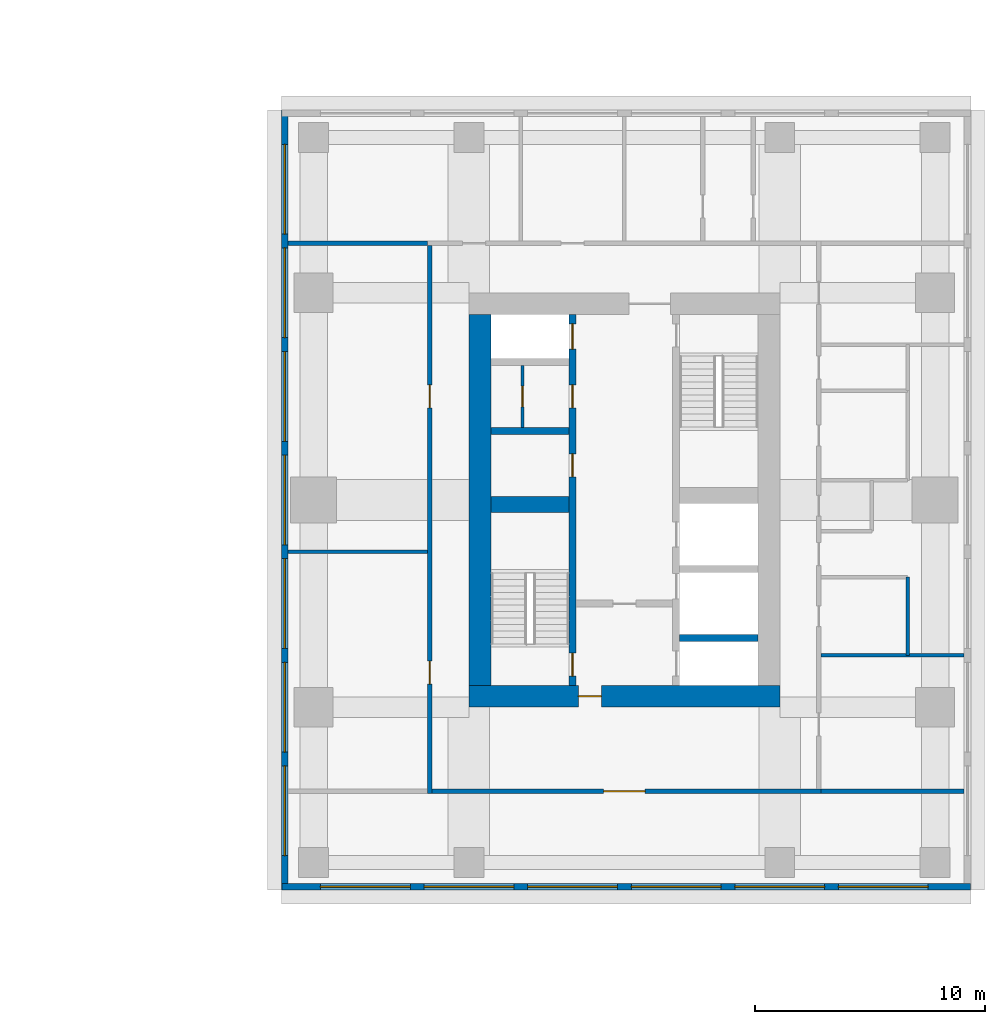
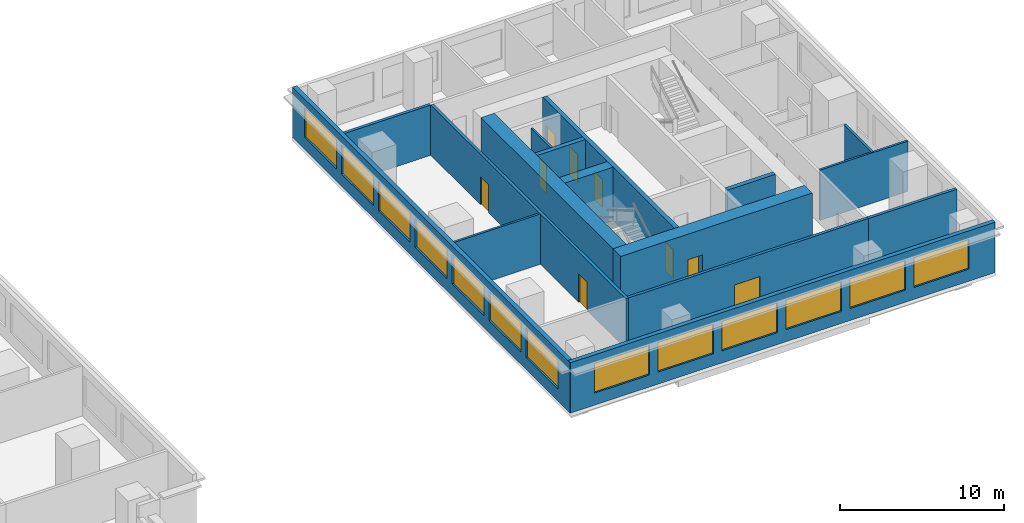
# One storey, part 6 of 11: 16 walls, 13 windows, 9 doors, 22 openings.
"""IFC4 building model written with IfcOpenShell, lengths in metres."""

from ifc_helpers import new_model, si_unit, direction, frame, frame_2d, origin, place, context, subcontext, project, spatial, rectangle, extrude, material, layer, layer_set, type_object, element, fill, save


model = new_model("IFC4")

# Units and contexts
model_context = context("Model", 3, precision=1e-05, world=origin(), true_north=direction((0.0, 1.0)))
body_context = subcontext(model_context, "Body", "Model", "MODEL_VIEW")
ifc_project = project(units=[si_unit("LENGTHUNIT", "METRE"), si_unit("AREAUNIT", "SQUARE_METRE"), si_unit("VOLUMEUNIT", "CUBIC_METRE"), si_unit("PLANEANGLEUNIT", "RADIAN"), si_unit("MASSUNIT", "GRAM", prefix="KILO")], contexts=[model_context])

# Site, building, storey
site_placement = place(None, origin())
site = spatial("IfcSite", under=ifc_project, at=site_placement, CompositionType="ELEMENT")
building_placement = place(site_placement, origin())
building = spatial("IfcBuilding", under=site, at=building_placement, Name="Namib Vertical Campus", CompositionType="ELEMENT")
storey_placement = place(building_placement, frame((0.0, 0.0, 213.0)))
storey = spatial("IfcBuildingStorey", under=building, at=storey_placement, Name="L50", CompositionType="ELEMENT", Elevation=213.0)

# Wall, openings, doors
ifc_material_1 = material(Name="Concrete C60/75", Category="concrete")
ifc_layer_1 = layer(ifc_material_1, 0.300048828125)
ifc_layer_set_1 = layer_set([ifc_layer_1], Name="Concrete C60/75")
wall_type_1 = type_object("IfcWallType", Name="Core inner wall 300", PredefinedType="SHEAR", material=ifc_layer_set_1)
wall_1_placement = place(storey_placement, frame((78.75, 12.199951171875, 0.0), z_axis=(0.0, 0.0, 1.0), x_axis=(0.0, 1.0, 0.0)))
wall_1 = element("IfcWall", 1, at=wall_1_placement, inside=storey, type_object=wall_type_1, Name="Core inner wall B L50 W1", PredefinedType="SHEAR", context=body_context, shape_type="SweptSolid", body=[
    extrude(rectangle(XDim=16.10009765625, YDim=0.300048828125, at=frame_2d((8.050048828125, 0.0))), origin(), (0.0, 0.0, 1.0), 4.0),
])
opening_1_placement = place(wall_1_placement, frame((0.39990234375, 0.0, 0.0)))
opening_1 = element("IfcOpeningElement", 2, at=opening_1_placement, cuts=wall_1, Name="Opening FD1", PredefinedType="OPENING", context=body_context, shape_type="SweptSolid", body=[
    extrude(rectangle(XDim=1.0, YDim=2.10009765625, at=frame_2d((0.5, 1.050048828125))), frame((0.0, 0.159912109375, 0.0), z_axis=(0.0, -1.0, 0.0), x_axis=(1.0, 0.0, 0.0)), (0.0, 0.0, 1.0), 0.320068359375),
])
opening_2_placement = place(wall_1_placement, frame((14.60009765625, 0.0, 0.0)))
opening_2 = element("IfcOpeningElement", 3, at=opening_2_placement, cuts=wall_1, Name="Opening LD1", PredefinedType="OPENING", context=body_context, shape_type="SweptSolid", body=[
    extrude(rectangle(XDim=1.10009765625, YDim=2.10009765625, at=frame_2d((0.550048828125, 1.050048828125))), frame((0.0, 0.159912109375, 0.0), z_axis=(0.0, -1.0, 0.0), x_axis=(1.0, 0.0, 0.0)), (0.0, 0.0, 1.0), 0.320068359375),
])
opening_3_placement = place(wall_1_placement, frame((9.050048828125, 0.0, 0.0)))
opening_3 = element("IfcOpeningElement", 4, at=opening_3_placement, cuts=wall_1, Name="Opening D1", PredefinedType="OPENING", context=body_context, shape_type="SweptSolid", body=[
    extrude(rectangle(XDim=1.0, YDim=2.10009765625, at=frame_2d((0.5, 1.050048828125))), frame((0.0, 0.159912109375, 0.0), z_axis=(0.0, -1.0, 0.0), x_axis=(1.0, 0.0, 0.0)), (0.0, 0.0, 1.0), 0.320068359375),
])
opening_4_placement = place(wall_1_placement, frame((12.050048828125, 0.0, 0.0)))
opening_4 = element("IfcOpeningElement", 5, at=opening_4_placement, cuts=wall_1, Name="Opening D1", PredefinedType="OPENING", context=body_context, shape_type="SweptSolid", body=[
    extrude(rectangle(XDim=1.0, YDim=2.10009765625, at=frame_2d((0.5, 1.050048828125))), frame((0.0, 0.159912109375, 0.0), z_axis=(0.0, -1.0, 0.0), x_axis=(1.0, 0.0, 0.0)), (0.0, 0.0, 1.0), 0.320068359375),
])
ifc_material_2 = material(Name="Timber door leaf", Category="wood")
door_type_1 = type_object("IfcDoorType", Name="Door single 1000x2100", OperationType="SINGLE_SWING_LEFT", PredefinedType="DOOR", material=ifc_material_2)
door_1_placement = place(opening_3_placement, origin())
door_1 = element("IfcDoor", 6, at=door_1_placement, inside=storey, type_object=door_type_1, Name="Door D1 Comms room B L50 P1", OperationType="SINGLE_SWING_LEFT", OverallHeight=2.10009765625, OverallWidth=1.0, PredefinedType="DOOR", context=body_context, shape_type="SweptSolid", body=[
    extrude(rectangle(XDim=1.0, YDim=2.10009765625, at=frame_2d((0.5, 1.050048828125))), frame((0.0, 0.02490234375, 0.0), z_axis=(0.0, -1.0, 0.0), x_axis=(1.0, 0.0, 0.0)), (0.0, 0.0, 1.0), 0.050048828125),
])
fill(opening_3, door_1)
door_2_placement = place(opening_4_placement, origin())
door_2 = element("IfcDoor", 7, at=door_2_placement, inside=storey, type_object=door_type_1, Name="Door D1 Store B L50 P2", OperationType="SINGLE_SWING_LEFT", OverallHeight=2.10009765625, OverallWidth=1.0, PredefinedType="DOOR", context=body_context, shape_type="SweptSolid", body=[
    extrude(rectangle(XDim=1.0, YDim=2.10009765625, at=frame_2d((0.5, 1.050048828125))), frame((0.0, 0.02490234375, 0.0), z_axis=(0.0, -1.0, 0.0), x_axis=(1.0, 0.0, 0.0)), (0.0, 0.0, 1.0), 0.050048828125),
])
fill(opening_4, door_2)
ifc_material_3 = material(Name="Steel fire door", Category="steel")
door_type_2 = type_object("IfcDoorType", Name="Fire door 1000x2100", OperationType="SINGLE_SWING_RIGHT", PredefinedType="DOOR", material=ifc_material_3)
door_3_placement = place(opening_1_placement, origin())
door_3 = element("IfcDoor", 8, at=door_3_placement, inside=storey, type_object=door_type_2, Name="Stair door FD1 B L50 S1", OperationType="SINGLE_SWING_LEFT", OverallHeight=2.10009765625, OverallWidth=1.0, PredefinedType="DOOR", context=body_context, shape_type="SweptSolid", body=[
    extrude(rectangle(XDim=1.0, YDim=2.10009765625, at=frame_2d((0.5, 1.050048828125))), frame((0.0, 0.02490234375, 0.0), z_axis=(0.0, -1.0, 0.0), x_axis=(1.0, 0.0, 0.0)), (0.0, 0.0, 1.0), 0.050048828125),
])
fill(opening_1, door_3)
ifc_material_4 = material(Name="Stainless steel lift door", Category="steel")
door_type_3 = type_object("IfcDoorType", Name="Lift landing door 1100x2100", OperationType="DOUBLE_DOOR_SLIDING", PredefinedType="DOOR", material=ifc_material_4)
door_4_placement = place(opening_2_placement, origin())
door_4 = element("IfcDoor", 9, at=door_4_placement, inside=storey, type_object=door_type_3, Name="Lift landing door LD1 B-P3 L50", OperationType="DOUBLE_DOOR_SLIDING", OverallHeight=2.10009765625, OverallWidth=1.10009765625, PredefinedType="DOOR", context=body_context, shape_type="SweptSolid", body=[
    extrude(rectangle(XDim=1.10009765625, YDim=2.10009765625, at=frame_2d((0.550048828125, 1.050048828125))), frame((0.0, 0.02490234375, 0.0), z_axis=(0.0, -1.0, 0.0), x_axis=(1.0, 0.0, 0.0)), (0.0, 0.0, 1.0), 0.050048828125),
])
fill(opening_2, door_4)

# Walls
for number, where, z_axis, x_axis, name in (
    (10, (83.39990234375, 14.25, 0.0), (0.0, 0.0, 1.0), (1.0, 0.0, 0.0), "Core inner wall B L50 W5"),
    (11, (75.199951171875, 23.25, 0.0), (0.0, 0.0, 1.0), (1.0, 0.0, 0.0), "Core inner wall B L50 W8"),
):
    element("IfcWall", number, at=place(storey_placement, frame(where, z_axis=z_axis, x_axis=x_axis)), inside=storey, type_object=wall_type_1, Name=name, PredefinedType="SHEAR", context=body_context, shape_type="SweptSolid", body=[
        extrude(rectangle(XDim=3.400146484375, YDim=0.300048828125, at=frame_2d((1.7001953125, 0.0))), origin(), (0.0, 0.0, 1.0), 4.0),
    ])
ifc_material_5 = material(Name="Concrete C60/75", Category="concrete")
ifc_layer_2 = layer(ifc_material_5, 0.699951171875)
ifc_layer_set_2 = layer_set([ifc_layer_2], Name="Concrete C60/75")
wall_type_2 = type_object("IfcWallType", Name="Core shear wall 700", PredefinedType="SHEAR", material=ifc_layer_set_2)
wall_2_placement = place(storey_placement, frame((75.199951171875, 20.050048828125, 0.0), z_axis=(0.0, 0.0, 1.0), x_axis=(1.0, 0.0, 0.0)))
element("IfcWall", 12, at=wall_2_placement, inside=storey, type_object=wall_type_2, Name="Core shear wall B L50 W3", PredefinedType="SHEAR", context=body_context, shape_type="SweptSolid", body=[
    extrude(rectangle(XDim=3.400146484375, YDim=0.699951171875, at=frame_2d((1.7001953125, 0.0))), origin(), (0.0, 0.0, 1.0), 4.0),
])

# Wall, opening, door
ifc_material_6 = material(Name="Concrete C60/75", Category="concrete")
ifc_layer_3 = layer(ifc_material_6, 0.949951171875)
ifc_layer_set_3 = layer_set([ifc_layer_3], Name="Concrete C60/75")
wall_type_3 = type_object("IfcWallType", Name="Core wall 950", PredefinedType="SHEAR", material=ifc_layer_set_3)
wall_3_placement = place(storey_placement, frame((74.25, 11.72509765625, 0.0), z_axis=(0.0, 0.0, 1.0), x_axis=(1.0, 0.0, 0.0)))
wall_3 = element("IfcWall", 13, at=wall_3_placement, inside=storey, type_object=wall_type_3, Name="Core wall B L50 1", PredefinedType="SHEAR", context=body_context, shape_type="SweptSolid", body=[
    extrude(rectangle(XDim=13.5, YDim=0.949951171875, at=frame_2d((6.75, 0.0))), origin(), (0.0, 0.0, 1.0), 4.0),
])
opening_5_placement = place(wall_3_placement, frame((4.75, 0.0, 0.0)))
opening_5 = element("IfcOpeningElement", 14, at=opening_5_placement, cuts=wall_3, Name="Opening FD5", PredefinedType="OPENING", context=body_context, shape_type="SweptSolid", body=[
    extrude(rectangle(XDim=1.0, YDim=2.10009765625, at=frame_2d((0.5, 1.050048828125))), frame((0.0, 0.48486328125, 0.0), z_axis=(0.0, -1.0, 0.0), x_axis=(1.0, 0.0, 0.0)), (0.0, 0.0, 1.0), 0.969970703125),
])
ifc_material_7 = material(Name="Steel fire door", Category="steel")
door_type_4 = type_object("IfcDoorType", Name="Fire door 1000x2100 120 min", OperationType="SINGLE_SWING_RIGHT", PredefinedType="DOOR", material=ifc_material_7)
door_5_placement = place(opening_5_placement, origin())
door_5 = element("IfcDoor", 15, at=door_5_placement, inside=storey, type_object=door_type_4, Name="Firefighting lobby door FD5 B L50", OperationType="SINGLE_SWING_LEFT", OverallHeight=2.10009765625, OverallWidth=1.0, PredefinedType="DOOR", context=body_context, shape_type="SweptSolid", body=[
    extrude(rectangle(XDim=1.0, YDim=2.10009765625, at=frame_2d((0.5, 1.050048828125))), frame((0.0, 0.02490234375, 0.0), z_axis=(0.0, -1.0, 0.0), x_axis=(1.0, 0.0, 0.0)), (0.0, 0.0, 1.0), 0.050048828125),
])
fill(opening_5, door_5)

# Wall
wall_4_placement = place(storey_placement, frame((74.72509765625, 28.300048828125, 0.0), z_axis=(0.0, 0.0, 1.0), x_axis=(0.0, -1.0, 0.0)))
element("IfcWall", 16, at=wall_4_placement, inside=storey, type_object=wall_type_3, Name="Core wall B L50 4", PredefinedType="SHEAR", context=body_context, shape_type="SweptSolid", body=[
    extrude(rectangle(XDim=16.10009765625, YDim=0.949951171875, at=frame_2d((8.050048828125, 0.0))), origin(), (0.0, 0.0, 1.0), 4.0),
])

# Wall, opening, door
ifc_material_8 = material(Name="Concrete masonry", Category="masonry")
ifc_layer_4 = layer(ifc_material_8, 0.199951171875)
ifc_layer_set_4 = layer_set([ifc_layer_4], Name="Corridor wall 200")
wall_type_4 = type_object("IfcWallType", Name="Corridor wall 200", PredefinedType="SOLIDWALL", material=ifc_layer_set_4)
wall_5_placement = place(storey_placement, frame((72.64990234375, 7.60009765625, 0.0), z_axis=(0.0, 0.0, 1.0), x_axis=(1.0, 0.0, 0.0)))
wall_5 = element("IfcWall", 17, at=wall_5_placement, inside=storey, type_object=wall_type_4, Name="Corridor wall B L50 CS", PredefinedType="SOLIDWALL", context=body_context, shape_type="SweptSolid", body=[
    extrude(rectangle(XDim=16.900146484375, YDim=0.199951171875, at=frame_2d((8.4501953125, 0.0))), origin(), (0.0, 0.0, 1.0), 3.75),
])
opening_6_placement = place(wall_5_placement, frame((7.449951171875, 0.0, 0.0)))
opening_6 = element("IfcOpeningElement", 18, at=opening_6_placement, cuts=wall_5, Name="Opening CD2", PredefinedType="OPENING", context=body_context, shape_type="SweptSolid", body=[
    extrude(rectangle(XDim=1.800048828125, YDim=2.10009765625, at=frame_2d((0.89990234375, 1.050048828125))), frame((0.0, 0.10986328125, 0.0), z_axis=(0.0, -1.0, 0.0), x_axis=(1.0, 0.0, 0.0)), (0.0, 0.0, 1.0), 0.219970703125),
])
ifc_material_9 = material(Name="Timber fire door leaf", Category="wood")
door_type_5 = type_object("IfcDoorType", Name="Corridor door double 1800x2100 20 min", OperationType="DOUBLE_DOOR_SINGLE_SWING", PredefinedType="DOOR", material=ifc_material_9)
door_6_placement = place(opening_6_placement, frame((1.800048828125, 0.0, 0.0), z_axis=(0.0, 0.0, 1.0), x_axis=(-1.0, 0.0, 0.0)))
door_6 = element("IfcDoor", 19, at=door_6_placement, inside=storey, type_object=door_type_5, Name="Door CD2 B50-01", OperationType="DOUBLE_DOOR_SINGLE_SWING", OverallHeight=2.10009765625, OverallWidth=1.800048828125, PredefinedType="DOOR", context=body_context, shape_type="SweptSolid", body=[
    extrude(rectangle(XDim=1.800048828125, YDim=2.10009765625, at=frame_2d((0.89990234375, 1.050048828125))), frame((0.0, 0.02490234375, 0.0), z_axis=(0.0, -1.0, 0.0), x_axis=(1.0, 0.0, 0.0)), (0.0, 0.0, 1.0), 0.050048828125),
])
fill(opening_6, door_6)

# Wall, openings, doors
wall_6_placement = place(storey_placement, frame((72.550048828125, 31.300048828125, 0.0), z_axis=(0.0, 0.0, 1.0), x_axis=(0.0, -1.0, 0.0)))
wall_6 = element("IfcWall", 20, at=wall_6_placement, inside=storey, type_object=wall_type_4, Name="Corridor wall B L50 CW", PredefinedType="SOLIDWALL", context=body_context, shape_type="SweptSolid", body=[
    extrude(rectangle(XDim=23.800048828125, YDim=0.199951171875, at=frame_2d((11.89990234375, 0.0))), origin(), (0.0, 0.0, 1.0), 3.75),
])
opening_7_placement = place(wall_6_placement, frame((18.050048828125, 0.0, 0.0)))
opening_7 = element("IfcOpeningElement", 21, at=opening_7_placement, cuts=wall_6, Name="Opening CD1", PredefinedType="OPENING", context=body_context, shape_type="SweptSolid", body=[
    extrude(rectangle(XDim=1.0, YDim=2.10009765625, at=frame_2d((0.5, 1.050048828125))), frame((0.0, 0.10986328125, 0.0), z_axis=(0.0, -1.0, 0.0), x_axis=(1.0, 0.0, 0.0)), (0.0, 0.0, 1.0), 0.219970703125),
])
opening_8_placement = place(wall_6_placement, frame((6.050048828125, 0.0, 0.0)))
opening_8 = element("IfcOpeningElement", 22, at=opening_8_placement, cuts=wall_6, Name="Opening CD1", PredefinedType="OPENING", context=body_context, shape_type="SweptSolid", body=[
    extrude(rectangle(XDim=1.0, YDim=2.10009765625, at=frame_2d((0.5, 1.050048828125))), frame((0.0, 0.10986328125, 0.0), z_axis=(0.0, -1.0, 0.0), x_axis=(1.0, 0.0, 0.0)), (0.0, 0.0, 1.0), 0.219970703125),
])
ifc_material_10 = material(Name="Timber fire door leaf", Category="wood")
door_type_6 = type_object("IfcDoorType", Name="Corridor door 1000x2100 20 min", OperationType="SINGLE_SWING_LEFT", PredefinedType="DOOR", material=ifc_material_10)
door_7_placement = place(opening_7_placement, frame((1.0, 0.0, 0.0), z_axis=(0.0, 0.0, 1.0), x_axis=(-1.0, 0.0, 0.0)))
door_7 = element("IfcDoor", 23, at=door_7_placement, inside=storey, type_object=door_type_6, Name="Door CD1 B50-13", OperationType="SINGLE_SWING_RIGHT", OverallHeight=2.10009765625, OverallWidth=1.0, PredefinedType="DOOR", context=body_context, shape_type="SweptSolid", body=[
    extrude(rectangle(XDim=1.0, YDim=2.10009765625, at=frame_2d((0.5, 1.050048828125))), frame((0.0, 0.02490234375, 0.0), z_axis=(0.0, -1.0, 0.0), x_axis=(1.0, 0.0, 0.0)), (0.0, 0.0, 1.0), 0.050048828125),
])
fill(opening_7, door_7)
door_8_placement = place(opening_8_placement, frame((1.0, 0.0, 0.0), z_axis=(0.0, 0.0, 1.0), x_axis=(-1.0, 0.0, 0.0)))
door_8 = element("IfcDoor", 24, at=door_8_placement, inside=storey, type_object=door_type_6, Name="Door CD1 B50-14", OperationType="SINGLE_SWING_RIGHT", OverallHeight=2.10009765625, OverallWidth=1.0, PredefinedType="DOOR", context=body_context, shape_type="SweptSolid", body=[
    extrude(rectangle(XDim=1.0, YDim=2.10009765625, at=frame_2d((0.5, 1.050048828125))), frame((0.0, 0.02490234375, 0.0), z_axis=(0.0, -1.0, 0.0), x_axis=(1.0, 0.0, 0.0)), (0.0, 0.0, 1.0), 0.050048828125),
])
fill(opening_8, door_8)

# Walls
wall_7_placement = place(storey_placement, frame((89.550048828125, 7.60009765625, 0.0), z_axis=(0.0, 0.0, 1.0), x_axis=(1.0, 0.0, 0.0)))
element("IfcWall", 25, at=wall_7_placement, inside=storey, type_object=wall_type_4, Name="Partition B L50 BSE", PredefinedType="SOLIDWALL", context=body_context, shape_type="SweptSolid", body=[
    extrude(rectangle(XDim=6.199951171875, YDim=0.199951171875, at=frame_2d((3.10009765625, 0.0))), origin(), (0.0, 0.0, 1.0), 3.75),
])
wall_8_placement = place(storey_placement, frame((66.39990234375, 31.39990234375, 0.0), z_axis=(0.0, 0.0, 1.0), x_axis=(1.0, 0.0, 0.0)))
element("IfcWall", 26, at=wall_8_placement, inside=storey, type_object=wall_type_4, Name="Partition B L50 BNW", PredefinedType="SOLIDWALL", context=body_context, shape_type="SweptSolid", body=[
    extrude(rectangle(XDim=6.050048828125, YDim=0.199951171875, at=frame_2d((3.02490234375, 0.0))), origin(), (0.0, 0.0, 1.0), 3.75),
])

# Wall, openings, windows
ifc_material_11 = material(Name="Concrete C40/50", Category="concrete")
ifc_layer_5 = layer(ifc_material_11, 0.300048828125)
ifc_layer_set_5 = layer_set([ifc_layer_5], Name="Concrete C40/50")
wall_type_5 = type_object("IfcWallType", Name="External wall 300 board-marked concrete", PredefinedType="STANDARD", material=ifc_layer_set_5)
wall_9_placement = place(storey_placement, frame((66.1201171875, 3.449951171875, 0.0), z_axis=(0.0, 0.0, 1.0), x_axis=(1.0, 0.0, 0.0)))
wall_9 = element("IfcWall", 27, at=wall_9_placement, inside=storey, type_object=wall_type_5, Name="External wall L50 F01", PredefinedType="STANDARD", context=body_context, shape_type="SweptSolid", body=[
    extrude(rectangle(XDim=29.909912109375, YDim=0.300048828125, at=frame_2d((14.955078125, 0.0))), origin(), (0.0, 0.0, 1.0), 3.75),
])
opening_9_placement = place(wall_9_placement, frame((1.679931640625, 0.0, 0.89990234375)))
opening_9 = element("IfcOpeningElement", 28, at=opening_9_placement, cuts=wall_9, Name="Opening W1", PredefinedType="OPENING", context=body_context, shape_type="SweptSolid", body=[
    extrude(rectangle(XDim=3.89990234375, YDim=2.199951171875, at=frame_2d((1.949951171875, 1.10009765625))), frame((0.0, 0.159912109375, 0.0), z_axis=(0.0, -1.0, 0.0), x_axis=(1.0, 0.0, 0.0)), (0.0, 0.0, 1.0), 0.320068359375),
])
opening_10_placement = place(wall_9_placement, frame((6.179931640625, 0.0, 0.89990234375)))
opening_10 = element("IfcOpeningElement", 29, at=opening_10_placement, cuts=wall_9, Name="Opening W1", PredefinedType="OPENING", context=body_context, shape_type="SweptSolid", body=[
    extrude(rectangle(XDim=3.89990234375, YDim=2.199951171875, at=frame_2d((1.949951171875, 1.10009765625))), frame((0.0, 0.159912109375, 0.0), z_axis=(0.0, -1.0, 0.0), x_axis=(1.0, 0.0, 0.0)), (0.0, 0.0, 1.0), 0.320068359375),
])
opening_11_placement = place(wall_9_placement, frame((10.679931640625, 0.0, 0.89990234375)))
opening_11 = element("IfcOpeningElement", 30, at=opening_11_placement, cuts=wall_9, Name="Opening W1", PredefinedType="OPENING", context=body_context, shape_type="SweptSolid", body=[
    extrude(rectangle(XDim=3.89990234375, YDim=2.199951171875, at=frame_2d((1.949951171875, 1.10009765625))), frame((0.0, 0.159912109375, 0.0), z_axis=(0.0, -1.0, 0.0), x_axis=(1.0, 0.0, 0.0)), (0.0, 0.0, 1.0), 0.320068359375),
])
opening_12_placement = place(wall_9_placement, frame((15.179931640625, 0.0, 0.89990234375)))
opening_12 = element("IfcOpeningElement", 31, at=opening_12_placement, cuts=wall_9, Name="Opening W1", PredefinedType="OPENING", context=body_context, shape_type="SweptSolid", body=[
    extrude(rectangle(XDim=3.89990234375, YDim=2.199951171875, at=frame_2d((1.949951171875, 1.10009765625))), frame((0.0, 0.159912109375, 0.0), z_axis=(0.0, -1.0, 0.0), x_axis=(1.0, 0.0, 0.0)), (0.0, 0.0, 1.0), 0.320068359375),
])
opening_13_placement = place(wall_9_placement, frame((19.679931640625, 0.0, 0.89990234375)))
opening_13 = element("IfcOpeningElement", 32, at=opening_13_placement, cuts=wall_9, Name="Opening W1", PredefinedType="OPENING", context=body_context, shape_type="SweptSolid", body=[
    extrude(rectangle(XDim=3.89990234375, YDim=2.199951171875, at=frame_2d((1.949951171875, 1.10009765625))), frame((0.0, 0.159912109375, 0.0), z_axis=(0.0, -1.0, 0.0), x_axis=(1.0, 0.0, 0.0)), (0.0, 0.0, 1.0), 0.320068359375),
])
opening_14_placement = place(wall_9_placement, frame((24.179931640625, 0.0, 0.89990234375)))
opening_14 = element("IfcOpeningElement", 33, at=opening_14_placement, cuts=wall_9, Name="Opening W1", PredefinedType="OPENING", context=body_context, shape_type="SweptSolid", body=[
    extrude(rectangle(XDim=3.89990234375, YDim=2.199951171875, at=frame_2d((1.949951171875, 1.10009765625))), frame((0.0, 0.159912109375, 0.0), z_axis=(0.0, -1.0, 0.0), x_axis=(1.0, 0.0, 0.0)), (0.0, 0.0, 1.0), 0.320068359375),
])
ifc_material_12 = material(Name="Dark tinted glass in black aluminium frame", Category="aluminium")
window_type = type_object("IfcWindowType", Name="Ribbon window 3900x2200", PartitioningType="SINGLE_PANEL", PredefinedType="WINDOW", material=ifc_material_12)
window_1_placement = place(opening_9_placement, origin())
window_1 = element("IfcWindow", 34, at=window_1_placement, inside=storey, type_object=window_type, Name="Window W1 L50 F01-1", OverallHeight=2.199951171875, OverallWidth=3.89990234375, PartitioningType="SINGLE_PANEL", PredefinedType="WINDOW", context=body_context, shape_type="SweptSolid", body=[
    extrude(rectangle(XDim=3.89990234375, YDim=2.199951171875, at=frame_2d((1.949951171875, 1.10009765625))), frame((0.0, 0.030029296875, 0.0), z_axis=(0.0, -1.0, 0.0), x_axis=(1.0, 0.0, 0.0)), (0.0, 0.0, 1.0), 0.06005859375),
])
fill(opening_9, window_1)
window_2_placement = place(opening_10_placement, origin())
window_2 = element("IfcWindow", 35, at=window_2_placement, inside=storey, type_object=window_type, Name="Window W1 L50 F01-2", OverallHeight=2.199951171875, OverallWidth=3.89990234375, PartitioningType="SINGLE_PANEL", PredefinedType="WINDOW", context=body_context, shape_type="SweptSolid", body=[
    extrude(rectangle(XDim=3.89990234375, YDim=2.199951171875, at=frame_2d((1.949951171875, 1.10009765625))), frame((0.0, 0.030029296875, 0.0), z_axis=(0.0, -1.0, 0.0), x_axis=(1.0, 0.0, 0.0)), (0.0, 0.0, 1.0), 0.06005859375),
])
fill(opening_10, window_2)
window_3_placement = place(opening_11_placement, origin())
window_3 = element("IfcWindow", 36, at=window_3_placement, inside=storey, type_object=window_type, Name="Window W1 L50 F01-3", OverallHeight=2.199951171875, OverallWidth=3.89990234375, PartitioningType="SINGLE_PANEL", PredefinedType="WINDOW", context=body_context, shape_type="SweptSolid", body=[
    extrude(rectangle(XDim=3.89990234375, YDim=2.199951171875, at=frame_2d((1.949951171875, 1.10009765625))), frame((0.0, 0.030029296875, 0.0), z_axis=(0.0, -1.0, 0.0), x_axis=(1.0, 0.0, 0.0)), (0.0, 0.0, 1.0), 0.06005859375),
])
fill(opening_11, window_3)
window_4_placement = place(opening_12_placement, origin())
window_4 = element("IfcWindow", 37, at=window_4_placement, inside=storey, type_object=window_type, Name="Window W1 L50 F01-4", OverallHeight=2.199951171875, OverallWidth=3.89990234375, PartitioningType="SINGLE_PANEL", PredefinedType="WINDOW", context=body_context, shape_type="SweptSolid", body=[
    extrude(rectangle(XDim=3.89990234375, YDim=2.199951171875, at=frame_2d((1.949951171875, 1.10009765625))), frame((0.0, 0.030029296875, 0.0), z_axis=(0.0, -1.0, 0.0), x_axis=(1.0, 0.0, 0.0)), (0.0, 0.0, 1.0), 0.06005859375),
])
fill(opening_12, window_4)
window_5_placement = place(opening_13_placement, origin())
window_5 = element("IfcWindow", 38, at=window_5_placement, inside=storey, type_object=window_type, Name="Window W1 L50 F01-5", OverallHeight=2.199951171875, OverallWidth=3.89990234375, PartitioningType="SINGLE_PANEL", PredefinedType="WINDOW", context=body_context, shape_type="SweptSolid", body=[
    extrude(rectangle(XDim=3.89990234375, YDim=2.199951171875, at=frame_2d((1.949951171875, 1.10009765625))), frame((0.0, 0.030029296875, 0.0), z_axis=(0.0, -1.0, 0.0), x_axis=(1.0, 0.0, 0.0)), (0.0, 0.0, 1.0), 0.06005859375),
])
fill(opening_13, window_5)
window_6_placement = place(opening_14_placement, origin())
window_6 = element("IfcWindow", 39, at=window_6_placement, inside=storey, type_object=window_type, Name="Window W1 L50 F01-6", OverallHeight=2.199951171875, OverallWidth=3.89990234375, PartitioningType="SINGLE_PANEL", PredefinedType="WINDOW", context=body_context, shape_type="SweptSolid", body=[
    extrude(rectangle(XDim=3.89990234375, YDim=2.199951171875, at=frame_2d((1.949951171875, 1.10009765625))), frame((0.0, 0.030029296875, 0.0), z_axis=(0.0, -1.0, 0.0), x_axis=(1.0, 0.0, 0.0)), (0.0, 0.0, 1.0), 0.06005859375),
])
fill(opening_14, window_6)

wall_10_placement = place(storey_placement, frame((66.25, 37.179931640625, 0.0), z_axis=(0.0, 0.0, 1.0), x_axis=(0.0, -1.0, 0.0)))
wall_10 = element("IfcWall", 40, at=wall_10_placement, inside=storey, type_object=wall_type_5, Name="External wall L50 F04", PredefinedType="STANDARD", context=body_context, shape_type="SweptSolid", body=[
    extrude(rectangle(XDim=33.85986328125, YDim=0.300048828125, at=frame_2d((16.929931640625, 0.0))), origin(), (0.0, 0.0, 1.0), 3.75),
])
opening_15_placement = place(wall_10_placement, frame((28.47998046875, 0.0, 0.89990234375)))
opening_15 = element("IfcOpeningElement", 41, at=opening_15_placement, cuts=wall_10, Name="Opening W1", PredefinedType="OPENING", context=body_context, shape_type="SweptSolid", body=[
    extrude(rectangle(XDim=3.89990234375, YDim=2.199951171875, at=frame_2d((1.949951171875, 1.10009765625))), frame((0.0, 0.159912109375, 0.0), z_axis=(0.0, -1.0, 0.0), x_axis=(1.0, 0.0, 0.0)), (0.0, 0.0, 1.0), 0.320068359375),
])
opening_16_placement = place(wall_10_placement, frame((23.97998046875, 0.0, 0.89990234375)))
opening_16 = element("IfcOpeningElement", 42, at=opening_16_placement, cuts=wall_10, Name="Opening W1", PredefinedType="OPENING", context=body_context, shape_type="SweptSolid", body=[
    extrude(rectangle(XDim=3.89990234375, YDim=2.199951171875, at=frame_2d((1.949951171875, 1.10009765625))), frame((0.0, 0.159912109375, 0.0), z_axis=(0.0, -1.0, 0.0), x_axis=(1.0, 0.0, 0.0)), (0.0, 0.0, 1.0), 0.320068359375),
])
opening_17_placement = place(wall_10_placement, frame((19.47998046875, 0.0, 0.89990234375)))
opening_17 = element("IfcOpeningElement", 43, at=opening_17_placement, cuts=wall_10, Name="Opening W1", PredefinedType="OPENING", context=body_context, shape_type="SweptSolid", body=[
    extrude(rectangle(XDim=3.89990234375, YDim=2.199951171875, at=frame_2d((1.949951171875, 1.10009765625))), frame((0.0, 0.159912109375, 0.0), z_axis=(0.0, -1.0, 0.0), x_axis=(1.0, 0.0, 0.0)), (0.0, 0.0, 1.0), 0.320068359375),
])
opening_18_placement = place(wall_10_placement, frame((14.97998046875, 0.0, 0.89990234375)))
opening_18 = element("IfcOpeningElement", 44, at=opening_18_placement, cuts=wall_10, Name="Opening W1", PredefinedType="OPENING", context=body_context, shape_type="SweptSolid", body=[
    extrude(rectangle(XDim=3.89990234375, YDim=2.199951171875, at=frame_2d((1.949951171875, 1.10009765625))), frame((0.0, 0.159912109375, 0.0), z_axis=(0.0, -1.0, 0.0), x_axis=(1.0, 0.0, 0.0)), (0.0, 0.0, 1.0), 0.320068359375),
])
opening_19_placement = place(wall_10_placement, frame((10.47998046875, 0.0, 0.89990234375)))
opening_19 = element("IfcOpeningElement", 45, at=opening_19_placement, cuts=wall_10, Name="Opening W1", PredefinedType="OPENING", context=body_context, shape_type="SweptSolid", body=[
    extrude(rectangle(XDim=3.89990234375, YDim=2.199951171875, at=frame_2d((1.949951171875, 1.10009765625))), frame((0.0, 0.159912109375, 0.0), z_axis=(0.0, -1.0, 0.0), x_axis=(1.0, 0.0, 0.0)), (0.0, 0.0, 1.0), 0.320068359375),
])
opening_20_placement = place(wall_10_placement, frame((5.97998046875, 0.0, 0.89990234375)))
opening_20 = element("IfcOpeningElement", 46, at=opening_20_placement, cuts=wall_10, Name="Opening W1", PredefinedType="OPENING", context=body_context, shape_type="SweptSolid", body=[
    extrude(rectangle(XDim=3.89990234375, YDim=2.199951171875, at=frame_2d((1.949951171875, 1.10009765625))), frame((0.0, 0.159912109375, 0.0), z_axis=(0.0, -1.0, 0.0), x_axis=(1.0, 0.0, 0.0)), (0.0, 0.0, 1.0), 0.320068359375),
])
opening_21_placement = place(wall_10_placement, frame((1.47998046875, 0.0, 0.89990234375)))
opening_21 = element("IfcOpeningElement", 47, at=opening_21_placement, cuts=wall_10, Name="Opening W1", PredefinedType="OPENING", context=body_context, shape_type="SweptSolid", body=[
    extrude(rectangle(XDim=3.89990234375, YDim=2.199951171875, at=frame_2d((1.949951171875, 1.10009765625))), frame((0.0, 0.159912109375, 0.0), z_axis=(0.0, -1.0, 0.0), x_axis=(1.0, 0.0, 0.0)), (0.0, 0.0, 1.0), 0.320068359375),
])
window_7_placement = place(opening_15_placement, origin())
window_7 = element("IfcWindow", 48, at=window_7_placement, inside=storey, type_object=window_type, Name="Window W1 L50 F04-1", OverallHeight=2.199951171875, OverallWidth=3.89990234375, PartitioningType="SINGLE_PANEL", PredefinedType="WINDOW", context=body_context, shape_type="SweptSolid", body=[
    extrude(rectangle(XDim=3.89990234375, YDim=2.199951171875, at=frame_2d((1.949951171875, 1.10009765625))), frame((0.0, 0.030029296875, 0.0), z_axis=(0.0, -1.0, 0.0), x_axis=(1.0, 0.0, 0.0)), (0.0, 0.0, 1.0), 0.06005859375),
])
fill(opening_15, window_7)
window_8_placement = place(opening_16_placement, origin())
window_8 = element("IfcWindow", 49, at=window_8_placement, inside=storey, type_object=window_type, Name="Window W1 L50 F04-2", OverallHeight=2.199951171875, OverallWidth=3.89990234375, PartitioningType="SINGLE_PANEL", PredefinedType="WINDOW", context=body_context, shape_type="SweptSolid", body=[
    extrude(rectangle(XDim=3.89990234375, YDim=2.199951171875, at=frame_2d((1.949951171875, 1.10009765625))), frame((0.0, 0.030029296875, 0.0), z_axis=(0.0, -1.0, 0.0), x_axis=(1.0, 0.0, 0.0)), (0.0, 0.0, 1.0), 0.06005859375),
])
fill(opening_16, window_8)
window_9_placement = place(opening_17_placement, origin())
window_9 = element("IfcWindow", 50, at=window_9_placement, inside=storey, type_object=window_type, Name="Window W1 L50 F04-3", OverallHeight=2.199951171875, OverallWidth=3.89990234375, PartitioningType="SINGLE_PANEL", PredefinedType="WINDOW", context=body_context, shape_type="SweptSolid", body=[
    extrude(rectangle(XDim=3.89990234375, YDim=2.199951171875, at=frame_2d((1.949951171875, 1.10009765625))), frame((0.0, 0.030029296875, 0.0), z_axis=(0.0, -1.0, 0.0), x_axis=(1.0, 0.0, 0.0)), (0.0, 0.0, 1.0), 0.06005859375),
])
fill(opening_17, window_9)
window_10_placement = place(opening_18_placement, origin())
window_10 = element("IfcWindow", 51, at=window_10_placement, inside=storey, type_object=window_type, Name="Window W1 L50 F04-4", OverallHeight=2.199951171875, OverallWidth=3.89990234375, PartitioningType="SINGLE_PANEL", PredefinedType="WINDOW", context=body_context, shape_type="SweptSolid", body=[
    extrude(rectangle(XDim=3.89990234375, YDim=2.199951171875, at=frame_2d((1.949951171875, 1.10009765625))), frame((0.0, 0.030029296875, 0.0), z_axis=(0.0, -1.0, 0.0), x_axis=(1.0, 0.0, 0.0)), (0.0, 0.0, 1.0), 0.06005859375),
])
fill(opening_18, window_10)
window_11_placement = place(opening_19_placement, origin())
window_11 = element("IfcWindow", 52, at=window_11_placement, inside=storey, type_object=window_type, Name="Window W1 L50 F04-5", OverallHeight=2.199951171875, OverallWidth=3.89990234375, PartitioningType="SINGLE_PANEL", PredefinedType="WINDOW", context=body_context, shape_type="SweptSolid", body=[
    extrude(rectangle(XDim=3.89990234375, YDim=2.199951171875, at=frame_2d((1.949951171875, 1.10009765625))), frame((0.0, 0.030029296875, 0.0), z_axis=(0.0, -1.0, 0.0), x_axis=(1.0, 0.0, 0.0)), (0.0, 0.0, 1.0), 0.06005859375),
])
fill(opening_19, window_11)
window_12_placement = place(opening_20_placement, origin())
window_12 = element("IfcWindow", 53, at=window_12_placement, inside=storey, type_object=window_type, Name="Window W1 L50 F04-6", OverallHeight=2.199951171875, OverallWidth=3.89990234375, PartitioningType="SINGLE_PANEL", PredefinedType="WINDOW", context=body_context, shape_type="SweptSolid", body=[
    extrude(rectangle(XDim=3.89990234375, YDim=2.199951171875, at=frame_2d((1.949951171875, 1.10009765625))), frame((0.0, 0.030029296875, 0.0), z_axis=(0.0, -1.0, 0.0), x_axis=(1.0, 0.0, 0.0)), (0.0, 0.0, 1.0), 0.06005859375),
])
fill(opening_20, window_12)
window_13_placement = place(opening_21_placement, origin())
window_13 = element("IfcWindow", 54, at=window_13_placement, inside=storey, type_object=window_type, Name="Window W1 L50 F04-7", OverallHeight=2.199951171875, OverallWidth=3.89990234375, PartitioningType="SINGLE_PANEL", PredefinedType="WINDOW", context=body_context, shape_type="SweptSolid", body=[
    extrude(rectangle(XDim=3.89990234375, YDim=2.199951171875, at=frame_2d((1.949951171875, 1.10009765625))), frame((0.0, 0.030029296875, 0.0), z_axis=(0.0, -1.0, 0.0), x_axis=(1.0, 0.0, 0.0)), (0.0, 0.0, 1.0), 0.06005859375),
])
fill(opening_21, window_13)

# Wall, opening, door
ifc_material_13 = material(Name="Gypsum board on steel studs", Category="steel")
ifc_layer_6 = layer(ifc_material_13, 0.14990234375)
ifc_layer_set_6 = layer_set([ifc_layer_6], Name="Gypsum board on steel studs")
wall_type_6 = type_object("IfcWallType", Name="Partition 150", PredefinedType="PARTITIONING", material=ifc_layer_set_6)
wall_11_placement = place(storey_placement, frame((76.574951171875, 23.39990234375, 0.0), z_axis=(0.0, 0.0, 1.0), x_axis=(0.0, 1.0, 0.0)))
wall_11 = element("IfcWall", 55, at=wall_11_placement, inside=storey, type_object=wall_type_6, Name="Partition B L50 Store P2 back", PredefinedType="PARTITIONING", context=body_context, shape_type="SweptSolid", body=[
    extrude(rectangle(XDim=2.7001953125, YDim=0.14990234375, at=frame_2d((1.35009765625, 0.0))), origin(), (0.0, 0.0, 1.0), 3.75),
])
opening_22_placement = place(wall_11_placement, frame((0.89990234375, 0.0, 0.0)))
opening_22 = element("IfcOpeningElement", 56, at=opening_22_placement, cuts=wall_11, Name="Opening D3", PredefinedType="OPENING", context=body_context, shape_type="SweptSolid", body=[
    extrude(rectangle(XDim=0.89990234375, YDim=2.10009765625, at=frame_2d((0.449951171875, 1.050048828125))), frame((0.0, 0.0849609375, 0.0), z_axis=(0.0, -1.0, 0.0), x_axis=(1.0, 0.0, 0.0)), (0.0, 0.0, 1.0), 0.169921875),
])
ifc_material_14 = material(Name="Timber door leaf", Category="wood")
door_type_7 = type_object("IfcDoorType", Name="Toilet door 900x2100", OperationType="SINGLE_SWING_LEFT", PredefinedType="DOOR", material=ifc_material_14)
door_9_placement = place(opening_22_placement, origin())
door_9 = element("IfcDoor", 57, at=door_9_placement, inside=storey, type_object=door_type_7, Name="Door D3 Store B L50 P2", OperationType="SINGLE_SWING_LEFT", OverallHeight=2.10009765625, OverallWidth=0.89990234375, PredefinedType="DOOR", context=body_context, shape_type="SweptSolid", body=[
    extrude(rectangle(XDim=0.89990234375, YDim=2.10009765625, at=frame_2d((0.449951171875, 1.050048828125))), frame((0.0, 0.02490234375, 0.0), z_axis=(0.0, -1.0, 0.0), x_axis=(1.0, 0.0, 0.0)), (0.0, 0.0, 1.0), 0.050048828125),
])
fill(opening_22, door_9)

# Walls
wall_12_placement = place(storey_placement, frame((89.550048828125, 13.5, 0.0), z_axis=(0.0, 0.0, 1.0), x_axis=(1.0, 0.0, 0.0)))
element("IfcWall", 58, at=wall_12_placement, inside=storey, type_object=wall_type_6, Name="Partition B L50 PE1", PredefinedType="PARTITIONING", context=body_context, shape_type="SweptSolid", body=[
    extrude(rectangle(XDim=6.199951171875, YDim=0.14990234375, at=frame_2d((3.10009765625, 0.0))), origin(), (0.0, 0.0, 1.0), 3.75),
])
wall_13_placement = place(storey_placement, frame((66.39990234375, 18.0, 0.0), z_axis=(0.0, 0.0, 1.0), x_axis=(1.0, 0.0, 0.0)))
element("IfcWall", 59, at=wall_13_placement, inside=storey, type_object=wall_type_6, Name="Partition B L50 PW1", PredefinedType="PARTITIONING", context=body_context, shape_type="SweptSolid", body=[
    extrude(rectangle(XDim=6.050048828125, YDim=0.14990234375, at=frame_2d((3.02490234375, 0.0))), origin(), (0.0, 0.0, 1.0), 3.75),
])
wall_14_placement = place(storey_placement, frame((93.300048828125, 13.5, 0.0), z_axis=(0.0, 0.0, 1.0), x_axis=(0.0, 1.0, 0.0)))
element("IfcWall", 60, at=wall_14_placement, inside=storey, type_object=wall_type_6, Name="Partition B L50 WB1", PredefinedType="PARTITIONING", context=body_context, shape_type="SweptSolid", body=[
    extrude(rectangle(XDim=3.39990234375, YDim=0.14990234375, at=frame_2d((1.699951171875, 0.0))), origin(), (0.0, 0.0, 1.0), 3.75),
])

save(model, "model.ifc")
